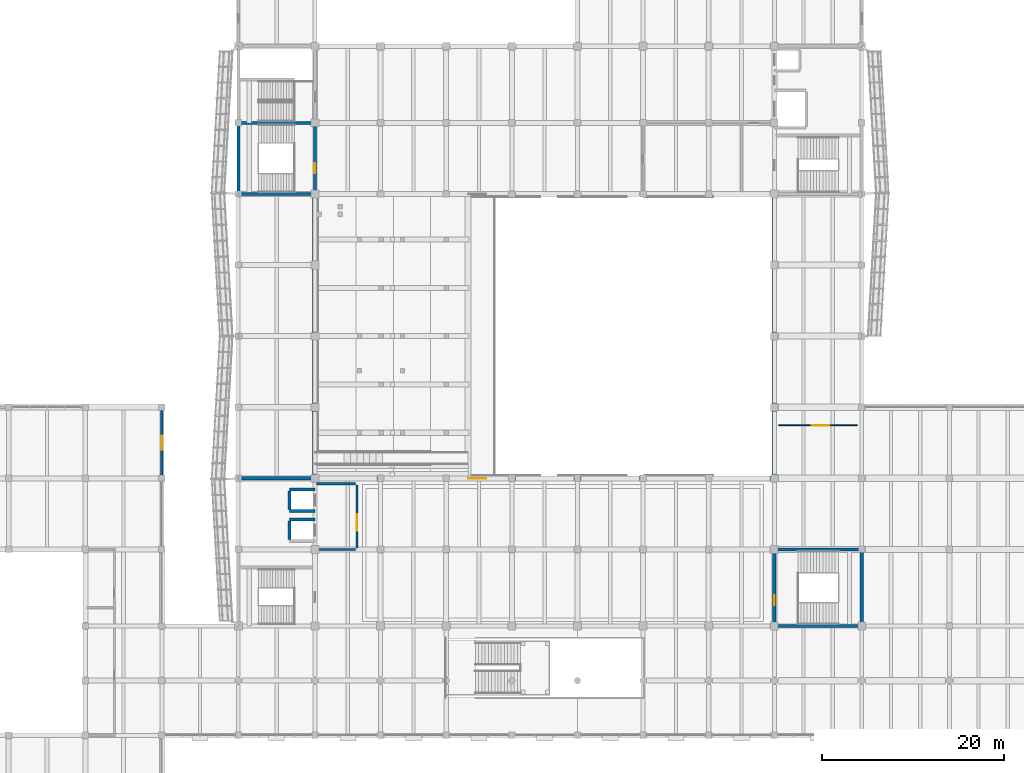
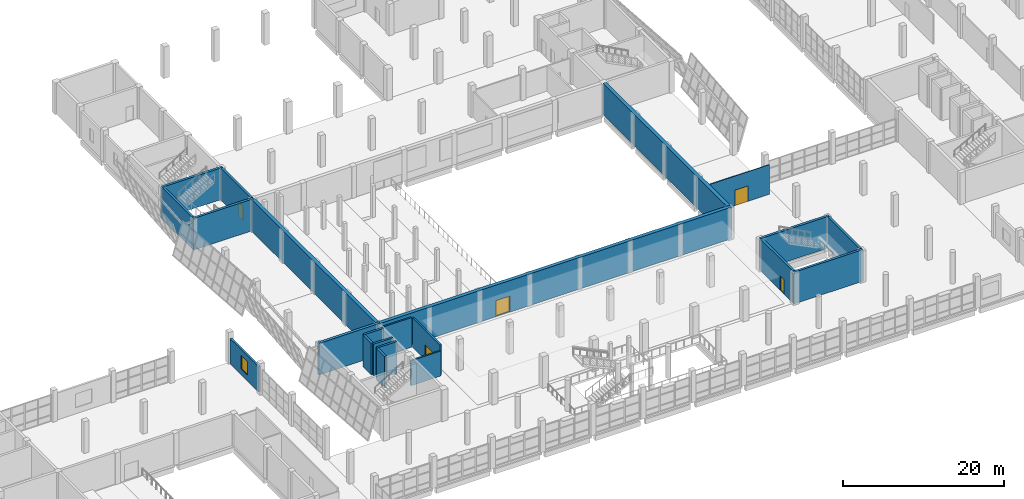
# One storey, part 81 of 91: 22 walls, 5 doors, 1 window, 6 openings.
"""IFC4 building model written with IfcOpenShell, lengths in metres."""

from ifc_helpers import new_model, si_unit, direction, frame, frame_2d, origin, place, context, subcontext, project, spatial, rectangle, extrude, material, layer, layer_set, type_object, element, fill, save


model = new_model("IFC4")

# Units and contexts
model_context = context("Model", 3, precision=1e-05, world=origin(), true_north=direction((0.0, 1.0)))
body_context = subcontext(model_context, "Body", "Model", "MODEL_VIEW")
ifc_project = project(units=[si_unit("LENGTHUNIT", "METRE"), si_unit("AREAUNIT", "SQUARE_METRE"), si_unit("VOLUMEUNIT", "CUBIC_METRE"), si_unit("PLANEANGLEUNIT", "RADIAN"), si_unit("MASSUNIT", "GRAM", prefix="KILO")], contexts=[model_context])

# Site, building, storey
site_placement = place(None, origin())
site = spatial("IfcSite", under=ifc_project, at=site_placement, CompositionType="ELEMENT")
building_placement = place(site_placement, origin())
building = spatial("IfcBuilding", under=site, at=building_placement, Name="Pellamere Symphony Hall", CompositionType="ELEMENT")
storey_placement = place(building_placement, frame((0.0, 0.0, 5.39990234375)))
storey = spatial("IfcBuildingStorey", under=building, at=storey_placement, Name="L01", CompositionType="ELEMENT", Elevation=5.39990234375)

# Wall, opening, window
ifc_material_1 = material(Name="Architectural Limestone-Clad Insulated Backing Assembly", Category="masonry")
ifc_layer_1 = layer(ifc_material_1, 0.280029296875, Name="Architectural Limestone-Clad Insulated Backing Assembly")
ifc_layer_set_1 = layer_set([ifc_layer_1], Name="Architectural Limestone-Clad Insulated Backing Assembly")
wall_type_1 = type_object("IfcWallType", Name="Exterior Wall EW-03 280mm", PredefinedType="SOLIDWALL", material=ifc_layer_set_1)
wall_1_placement = place(storey_placement, frame((42.0, 46.550048828125, 0.0), z_axis=(0.0, 0.0, 1.0), x_axis=(0.0, 1.0, 0.0)))
wall_1 = element("IfcWall", 1, at=wall_1_placement, inside=storey, type_object=wall_type_1, Name="Exterior Wall EW-03-015 (L01)", PredefinedType="SOLIDWALL", context=body_context, shape_type="SweptSolid", body=[
    extrude(rectangle(XDim=7.099853515625, YDim=0.280029296875, at=frame_2d((3.5498046875, 0.0))), origin(), (0.0, 0.0, 1.0), 3.85009765625),
])
opening_1_placement = place(wall_1_placement, frame((2.800048828125, 0.0, 0.89990234375)))
opening_1 = element("IfcOpeningElement", 2, at=opening_1_placement, cuts=wall_1, Name="Opening W013", PredefinedType="OPENING", context=body_context, shape_type="SweptSolid", body=[
    extrude(rectangle(XDim=1.5, YDim=2.10009765625, at=frame_2d((0.75, 1.050048828125))), frame((0.0, 0.14990234375, 0.0), z_axis=(0.0, -1.0, 0.0), x_axis=(1.0, 0.0, 0.0)), (0.0, 0.0, 1.0), 0.300048828125),
])
ifc_material_2 = material(Name="Thermally Broken Aluminium Triple-Glazed Acoustic Window", Category="aluminium")
window_type = type_object("IfcWindowType", Name="Window WN-01 1500x2100", PartitioningType="SINGLE_PANEL", PredefinedType="WINDOW", material=ifc_material_2)
window_placement = place(opening_1_placement, origin())
window = element("IfcWindow", 3, at=window_placement, inside=storey, type_object=window_type, Name="Exterior Window W013 (L01)", OverallHeight=2.10009765625, OverallWidth=1.5, PartitioningType="SINGLE_PANEL", PredefinedType="WINDOW", context=body_context, shape_type="SweptSolid", body=[
    extrude(rectangle(XDim=1.5, YDim=2.10009765625, at=frame_2d((0.75, 1.050048828125))), frame((0.0, 0.030029296875, 0.0), z_axis=(0.0, -1.0, 0.0), x_axis=(1.0, 0.0, 0.0)), (0.0, 0.0, 1.0), 0.06005859375),
])
fill(opening_1, window)

# Walls
ifc_material_3 = material(Name="Double-Stud STC-65 Acoustic Drywall Partition", Category="gypsum")
ifc_layer_2 = layer(ifc_material_3, 0.239990234375, Name="Double-Stud STC-65 Acoustic Drywall Partition")
ifc_layer_set_2 = layer_set([ifc_layer_2], Name="Double-Stud STC-65 Acoustic Drywall Partition")
wall_type_2 = type_object("IfcWallType", Name="Interior Partition IW-01 240mm", PredefinedType="PARTITIONING", material=ifc_layer_set_2)
wall_2_placement = place(storey_placement, frame((58.9599609375, 38.39990234375, 0.0), z_axis=(0.0, 0.0, 1.0), x_axis=(1.0, 0.0, 0.0)))
element("IfcWall", 4, at=wall_2_placement, inside=storey, type_object=wall_type_2, Name="Interior Partition IW-01-008 (L01)", PredefinedType="PARTITIONING", context=body_context, shape_type="SweptSolid", body=[
    extrude(rectangle(XDim=4.280029296875, YDim=0.239990234375, at=frame_2d((2.14013671875, 0.0))), origin(), (0.0, 0.0, 1.0), 3.780029296875),
])
wall_3_placement = place(storey_placement, frame((58.9599609375, 45.60009765625, 0.0), z_axis=(0.0, 0.0, 1.0), x_axis=(1.0, 0.0, 0.0)))
element("IfcWall", 5, at=wall_3_placement, inside=storey, type_object=wall_type_2, Name="Interior Partition IW-01-009 (L01)", PredefinedType="PARTITIONING", context=body_context, shape_type="SweptSolid", body=[
    extrude(rectangle(XDim=4.280029296875, YDim=0.239990234375, at=frame_2d((2.14013671875, 0.0))), origin(), (0.0, 0.0, 1.0), 4.489990234375),
])

# Wall, opening, door
wall_4_placement = place(storey_placement, frame((63.39990234375, 38.56005859375, 0.0), z_axis=(0.0, 0.0, 1.0), x_axis=(0.0, 1.0, 0.0)))
wall_4 = element("IfcWall", 6, at=wall_4_placement, inside=storey, type_object=wall_type_2, Name="Interior Partition IW-01-010 (L01)", PredefinedType="PARTITIONING", context=body_context, shape_type="SweptSolid", body=[
    extrude(rectangle(XDim=6.8798828125, YDim=0.239990234375, at=frame_2d((3.43994140625, 0.0))), origin(), (0.0, 0.0, 1.0), 4.489990234375),
])
opening_2_placement = place(wall_4_placement, frame((1.89990234375, 0.0, 0.0)))
opening_2 = element("IfcOpeningElement", 7, at=opening_2_placement, cuts=wall_4, Name="Opening FD-05", PredefinedType="OPENING", context=body_context, shape_type="SweptSolid", body=[
    extrude(rectangle(XDim=1.800048828125, YDim=2.300048828125, at=frame_2d((0.89990234375, 1.14990234375))), frame((0.0, 0.1298828125, 0.0), z_axis=(0.0, -1.0, 0.0), x_axis=(1.0, 0.0, 0.0)), (0.0, 0.0, 1.0), 0.260009765625),
])
ifc_material_4 = material(Name="Fire-Rated Cross-Corridor Double Door", Category="wood")
door_type_1 = type_object("IfcDoorType", Name="Interior Door ID-FD1 1800x2300", OperationType="NOTDEFINED", PredefinedType="DOOR", material=ifc_material_4)
door_1_placement = place(opening_2_placement, origin())
door_1 = element("IfcDoor", 8, at=door_1_placement, inside=storey, type_object=door_type_1, Name="Firefighting Lobby C1 Foyer Entry Door (L01)", OperationType="DOUBLE_DOOR_SINGLE_SWING", OverallHeight=2.300048828125, OverallWidth=1.800048828125, PredefinedType="DOOR", context=body_context, shape_type="SweptSolid", body=[
    extrude(rectangle(XDim=1.800048828125, YDim=2.300048828125, at=frame_2d((0.89990234375, 1.14990234375))), frame((0.0, 0.02490234375, 0.0), z_axis=(0.0, -1.0, 0.0), x_axis=(1.0, 0.0, 0.0)), (0.0, 0.0, 1.0), 0.050048828125),
])
fill(opening_2, door_1)

ifc_material_5 = material(Name="Operable Acoustic Timber Folding Wall", Category="wood")
ifc_layer_3 = layer(ifc_material_5, 0.110107421875, Name="Operable Acoustic Timber Folding Wall")
ifc_layer_set_3 = layer_set([ifc_layer_3], Name="Operable Acoustic Timber Folding Wall")
wall_type_3 = type_object("IfcWallType", Name="Interior Partition IW-05 110mm", PredefinedType="MOVABLE", material=ifc_layer_set_3)
wall_5_placement = place(storey_placement, frame((109.7099609375, 52.0, 0.0), z_axis=(0.0, 0.0, 1.0), x_axis=(1.0, 0.0, 0.0)))
wall_5 = element("IfcWall", 9, at=wall_5_placement, inside=storey, type_object=wall_type_3, Name="Interior Partition IW-05-072 (L01)", PredefinedType="MOVABLE", context=body_context, shape_type="SweptSolid", body=[
    extrude(rectangle(XDim=8.580078125, YDim=0.110107421875, at=frame_2d((4.2900390625, 0.0))), origin(), (0.0, 0.0, 1.0), 4.489990234375),
])
opening_3_placement = place(wall_5_placement, frame((3.60009765625, 0.0, 0.0)))
opening_3 = element("IfcOpeningElement", 10, at=opening_3_placement, cuts=wall_5, Name="Opening ID-GL1-034", PredefinedType="OPENING", context=body_context, shape_type="SweptSolid", body=[
    extrude(rectangle(XDim=1.89990234375, YDim=2.35009765625, at=frame_2d((0.949951171875, 1.175048828125))), frame((0.0, 0.06494140625, 0.0), z_axis=(0.0, -1.0, 0.0), x_axis=(1.0, 0.0, 0.0)), (0.0, 0.0, 1.0), 0.130126953125),
])
ifc_material_6 = material(Name="Laminated Acoustic Glass Lounge Sliding Door", Category="glass")
door_type_2 = type_object("IfcDoorType", Name="Interior Door ID-GL1 1900x2350", OperationType="NOTDEFINED", PredefinedType="DOOR", material=ifc_material_6)
door_2_placement = place(opening_3_placement, origin())
door_2 = element("IfcDoor", 11, at=door_2_placement, inside=storey, type_object=door_type_2, Name="Founders Recital Salon Glass Portal", OperationType="SLIDING_TO_RIGHT", OverallHeight=2.35009765625, OverallWidth=1.89990234375, PredefinedType="DOOR", context=body_context, shape_type="SweptSolid", body=[
    extrude(rectangle(XDim=1.89990234375, YDim=2.35009765625, at=frame_2d((0.949951171875, 1.175048828125))), frame((0.0, 0.02490234375, 0.0), z_axis=(0.0, -1.0, 0.0), x_axis=(1.0, 0.0, 0.0)), (0.0, 0.0, 1.0), 0.050048828125),
])
fill(opening_3, door_2)

# Walls
ifc_material_7 = material(Name="Concrete 50 MPa", Category="concrete")
ifc_layer_4 = layer(ifc_material_7, 0.39990234375, Name="Concrete 50 MPa")
ifc_layer_set_4 = layer_set([ifc_layer_4], Name="Concrete 50 MPa")
wall_type_4 = type_object("IfcWallType", Name="Structural Wall SW-02 400mm", PredefinedType="SHEAR", material=ifc_layer_set_4)
wall_6_placement = place(storey_placement, frame((50.199951171875, 46.199951171875, 0.0), z_axis=(0.0, 0.0, 1.0), x_axis=(1.0, 0.0, 0.0)))
element("IfcWall", 12, at=wall_6_placement, inside=storey, type_object=wall_type_4, Name="Core Shear Wall C1 N (L01)", PredefinedType="SHEAR", context=body_context, shape_type="SweptSolid", body=[
    extrude(rectangle(XDim=8.800048828125, YDim=0.39990234375, at=frame_2d((4.39990234375, 0.0))), origin(), (0.0, 0.0, 1.0), 4.800048828125),
])
ifc_material_8 = material(Name="Concrete 40 MPa", Category="concrete")
ifc_layer_5 = layer(ifc_material_8, 0.35009765625, Name="Concrete 40 MPa")
ifc_layer_set_5 = layer_set([ifc_layer_5], Name="Concrete 40 MPa")
wall_type_5 = type_object("IfcWallType", Name="Structural Wall SW-03 350mm", PredefinedType="SHEAR", material=ifc_layer_set_5)
for number, where, z_axis, x_axis, name in (
    (13, (50.22509765625, 77.39990234375, 0.0), (0.0, 0.0, 1.0), (1.0, 0.0, 0.0), "Stair ST07 Enclosure Wall S (L01)"),
    (14, (50.22509765625, 85.199951171875, 0.0), (0.0, 0.0, 1.0), (1.0, 0.0, 0.0), "Stair ST07 Enclosure Wall N (L01)"),
):
    element("IfcWall", number, at=place(storey_placement, frame(where, z_axis=z_axis, x_axis=x_axis)), inside=storey, type_object=wall_type_5, Name=name, PredefinedType="SHEAR", context=body_context, shape_type="SweptSolid", body=[
        extrude(rectangle(XDim=8.75, YDim=0.35009765625, at=frame_2d((4.375, 0.0))), origin(), (0.0, 0.0, 1.0), 4.800048828125),
    ])
wall_7_placement = place(storey_placement, frame((50.39990234375, 77.574951171875, 0.0), z_axis=(0.0, 0.0, 1.0), x_axis=(0.0, 1.0, 0.0)))
element("IfcWall", 15, at=wall_7_placement, inside=storey, type_object=wall_type_5, Name="Stair ST07 Enclosure Wall W (L01)", PredefinedType="SHEAR", context=body_context, shape_type="SweptSolid", body=[
    extrude(rectangle(XDim=7.449951171875, YDim=0.35009765625, at=frame_2d((3.72509765625, 0.0))), origin(), (0.0, 0.0, 1.0), 4.800048828125),
])

# Wall, opening, door
wall_8_placement = place(storey_placement, frame((58.800048828125, 77.574951171875, 0.0), z_axis=(0.0, 0.0, 1.0), x_axis=(0.0, 1.0, 0.0)))
wall_8 = element("IfcWall", 16, at=wall_8_placement, inside=storey, type_object=wall_type_5, Name="Stair ST07 Enclosure Wall E (L01)", PredefinedType="SHEAR", context=body_context, shape_type="SweptSolid", body=[
    extrude(rectangle(XDim=7.449951171875, YDim=0.35009765625, at=frame_2d((3.72509765625, 0.0))), origin(), (0.0, 0.0, 1.0), 4.800048828125),
])
opening_4_placement = place(wall_8_placement, frame((2.10009765625, 0.0, 0.0)))
opening_4 = element("IfcOpeningElement", 17, at=opening_4_placement, cuts=wall_8, Name="Opening SD-39", PredefinedType="OPENING", context=body_context, shape_type="SweptSolid", body=[
    extrude(rectangle(XDim=1.10009765625, YDim=2.199951171875, at=frame_2d((0.550048828125, 1.10009765625))), frame((0.0, 0.18505859375, 0.0), z_axis=(0.0, -1.0, 0.0), x_axis=(1.0, 0.0, 0.0)), (0.0, 0.0, 1.0), 0.3701171875),
])
ifc_material_9 = material(Name="Fire-Rated Steel Exit Stair Door", Category="steel")
door_type_3 = type_object("IfcDoorType", Name="Interior Door ID-SD1 1100x2200", OperationType="NOTDEFINED", PredefinedType="DOOR", material=ifc_material_9)
door_3_placement = place(opening_4_placement, origin())
door_3 = element("IfcDoor", 18, at=door_3_placement, inside=storey, type_object=door_type_3, Name="Exit Stair ST07 Door (L01)", OperationType="SINGLE_SWING_LEFT", OverallHeight=2.199951171875, OverallWidth=1.10009765625, PredefinedType="DOOR", context=body_context, shape_type="SweptSolid", body=[
    extrude(rectangle(XDim=1.10009765625, YDim=2.199951171875, at=frame_2d((0.550048828125, 1.10009765625))), frame((0.0, 0.02490234375, 0.0), z_axis=(0.0, -1.0, 0.0), x_axis=(1.0, 0.0, 0.0)), (0.0, 0.0, 1.0), 0.050048828125),
])
fill(opening_4, door_3)

# Walls
for number, where, z_axis, x_axis, name in (
    (19, (109.02490234375, 30.0, 0.0), (0.0, 0.0, 1.0), (1.0, 0.0, 0.0), "Stair ST08 Enclosure Wall S (L01)"),
    (20, (109.02490234375, 38.39990234375, 0.0), (0.0, 0.0, 1.0), (1.0, 0.0, 0.0), "Stair ST08 Enclosure Wall N (L01)"),
):
    element("IfcWall", number, at=place(storey_placement, frame(where, z_axis=z_axis, x_axis=x_axis)), inside=storey, type_object=wall_type_5, Name=name, PredefinedType="SHEAR", context=body_context, shape_type="SweptSolid", body=[
        extrude(rectangle(XDim=9.9501953125, YDim=0.35009765625, at=frame_2d((4.97509765625, 0.0))), origin(), (0.0, 0.0, 1.0), 4.800048828125),
    ])

# Wall, opening, door
wall_9_placement = place(storey_placement, frame((109.199951171875, 30.175048828125, 0.0), z_axis=(0.0, 0.0, 1.0), x_axis=(0.0, 1.0, 0.0)))
wall_9 = element("IfcWall", 21, at=wall_9_placement, inside=storey, type_object=wall_type_5, Name="Stair ST08 Enclosure Wall W (L01)", PredefinedType="SHEAR", context=body_context, shape_type="SweptSolid", body=[
    extrude(rectangle(XDim=8.050048828125, YDim=0.35009765625, at=frame_2d((4.02490234375, 0.0))), origin(), (0.0, 0.0, 1.0), 4.800048828125),
])
opening_5_placement = place(wall_9_placement, frame((2.10009765625, 0.0, 0.0)))
opening_5 = element("IfcOpeningElement", 22, at=opening_5_placement, cuts=wall_9, Name="Opening SD-45", PredefinedType="OPENING", context=body_context, shape_type="SweptSolid", body=[
    extrude(rectangle(XDim=1.10009765625, YDim=2.199951171875, at=frame_2d((0.550048828125, 1.10009765625))), frame((0.0, 0.18505859375, 0.0), z_axis=(0.0, -1.0, 0.0), x_axis=(1.0, 0.0, 0.0)), (0.0, 0.0, 1.0), 0.3701171875),
])
door_4_placement = place(opening_5_placement, frame((1.10009765625, 0.0, 0.0), z_axis=(0.0, 0.0, 1.0), x_axis=(-1.0, 0.0, 0.0)))
door_4 = element("IfcDoor", 23, at=door_4_placement, inside=storey, type_object=door_type_3, Name="Exit Stair ST08 Door (L01)", OperationType="SINGLE_SWING_LEFT", OverallHeight=2.199951171875, OverallWidth=1.10009765625, PredefinedType="DOOR", context=body_context, shape_type="SweptSolid", body=[
    extrude(rectangle(XDim=1.10009765625, YDim=2.199951171875, at=frame_2d((0.550048828125, 1.10009765625))), frame((0.0, 0.02490234375, 0.0), z_axis=(0.0, -1.0, 0.0), x_axis=(1.0, 0.0, 0.0)), (0.0, 0.0, 1.0), 0.050048828125),
])
fill(opening_5, door_4)

# Walls
wall_10_placement = place(storey_placement, frame((118.800048828125, 30.175048828125, 0.0), z_axis=(0.0, 0.0, 1.0), x_axis=(0.0, 1.0, 0.0)))
element("IfcWall", 24, at=wall_10_placement, inside=storey, type_object=wall_type_5, Name="Stair ST08 Enclosure Wall E (L01)", PredefinedType="SHEAR", context=body_context, shape_type="SweptSolid", body=[
    extrude(rectangle(XDim=8.050048828125, YDim=0.35009765625, at=frame_2d((4.02490234375, 0.0))), origin(), (0.0, 0.0, 1.0), 4.800048828125),
])
ifc_layer_6 = layer(ifc_material_8, 0.300048828125, Name="Concrete 40 MPa")
ifc_layer_set_6 = layer_set([ifc_layer_6], Name="Concrete 40 MPa")
wall_type_6 = type_object("IfcWallType", Name="Structural Wall SW-04 300mm", PredefinedType="SHEAR", material=ifc_layer_set_6)
wall_11_placement = place(storey_placement, frame((56.0, 41.675048828125, 0.0), z_axis=(0.0, 0.0, 1.0), x_axis=(1.0, 0.0, 0.0)))
element("IfcWall", 25, at=wall_11_placement, inside=storey, type_object=wall_type_6, Name="Elevator PL1 Hoistway Wall N (L01)", PredefinedType="SHEAR", context=body_context, shape_type="SweptSolid", body=[
    extrude(rectangle(XDim=2.800048828125, YDim=0.300048828125, at=frame_2d((1.39990234375, 0.0))), origin(), (0.0, 0.0, 1.0), 4.800048828125),
])
wall_12_placement = place(storey_placement, frame((56.0, 39.47509765625, 0.0), z_axis=(0.0, 0.0, 1.0), x_axis=(0.0, 1.0, 0.0)))
element("IfcWall", 26, at=wall_12_placement, inside=storey, type_object=wall_type_6, Name="Elevator PL1 Hoistway Wall W (L01)", PredefinedType="SHEAR", context=body_context, shape_type="SweptSolid", body=[
    extrude(rectangle(XDim=2.0498046875, YDim=0.300048828125, at=frame_2d((1.02490234375, 0.0))), origin(), (0.0, 0.0, 1.0), 4.800048828125),
])
for number, where, z_axis, x_axis, name in (
    (27, (56.0, 42.625, 0.0), (0.0, 0.0, 1.0), (1.0, 0.0, 0.0), "Elevator PL2 Hoistway Wall S (L01)"),
    (28, (56.0, 44.97509765625, 0.0), (0.0, 0.0, 1.0), (1.0, 0.0, 0.0), "Elevator PL2 Hoistway Wall N (L01)"),
):
    element("IfcWall", number, at=place(storey_placement, frame(where, z_axis=z_axis, x_axis=x_axis)), inside=storey, type_object=wall_type_6, Name=name, PredefinedType="SHEAR", context=body_context, shape_type="SweptSolid", body=[
        extrude(rectangle(XDim=2.800048828125, YDim=0.300048828125, at=frame_2d((1.39990234375, 0.0))), origin(), (0.0, 0.0, 1.0), 4.800048828125),
    ])
wall_13_placement = place(storey_placement, frame((56.0, 42.77490234375, 0.0), z_axis=(0.0, 0.0, 1.0), x_axis=(0.0, 1.0, 0.0)))
element("IfcWall", 29, at=wall_13_placement, inside=storey, type_object=wall_type_6, Name="Elevator PL2 Hoistway Wall W (L01)", PredefinedType="SHEAR", context=body_context, shape_type="SweptSolid", body=[
    extrude(rectangle(XDim=2.050048828125, YDim=0.300048828125, at=frame_2d((1.02490234375, 0.0))), origin(), (0.0, 0.0, 1.0), 4.800048828125),
])

# Wall, opening, door
ifc_material_10 = material(Name="Architectural warm-pigmented concrete 40 MPa", Category="concrete")
ifc_layer_7 = layer(ifc_material_10, 0.5, Name="Architectural warm-pigmented concrete 40 MPa")
ifc_layer_set_7 = layer_set([ifc_layer_7], Name="Architectural warm-pigmented concrete 40 MPa")
wall_type_7 = type_object("IfcWallType", Name="Structural Wall SW-05 500mm", PredefinedType="SOLIDWALL", material=ifc_layer_set_7)
wall_14_placement = place(storey_placement, frame((58.590087890625, 46.199951171875, 0.0), z_axis=(0.0, 0.0, 1.0), x_axis=(1.0, 0.0, 0.0)))
wall_14 = element("IfcWall", 30, at=wall_14_placement, inside=storey, type_object=wall_type_7, Name="Main Hall Acoustic Box Wall AW1-S (L01)", PredefinedType="SOLIDWALL", context=body_context, shape_type="SweptSolid", body=[
    extrude(rectangle(XDim=50.81982421875, YDim=0.5, at=frame_2d((25.409912109375, 0.0))), origin(), (0.0, 0.0, 1.0), 4.800048828125),
])
opening_6_placement = place(wall_14_placement, frame((17.0, 0.0, 0.0)))
opening_6 = element("IfcOpeningElement", 31, at=opening_6_placement, cuts=wall_14, Name="Opening AD-05", PredefinedType="OPENING", context=body_context, shape_type="SweptSolid", body=[
    extrude(rectangle(XDim=2.0, YDim=2.449951171875, at=frame_2d((1.0, 1.22509765625))), frame((0.0, 0.260009765625, 0.0), z_axis=(0.0, -1.0, 0.0), x_axis=(1.0, 0.0, 0.0)), (0.0, 0.0, 1.0), 0.52001953125),
])
ifc_material_11 = material(Name="STC-55 Solid White Oak Acoustic Hall Entry Door", Category="wood")
door_type_4 = type_object("IfcDoorType", Name="Interior Door ID-AD1 2000x2450", OperationType="NOTDEFINED", PredefinedType="DOOR", material=ifc_material_11)
door_5_placement = place(opening_6_placement, origin())
door_5 = element("IfcDoor", 32, at=door_5_placement, inside=storey, type_object=door_type_4, Name="Main Hall L01 Balcony Acoustic Entry Door S", OperationType="DOUBLE_DOOR_SINGLE_SWING", OverallHeight=2.449951171875, OverallWidth=2.0, PredefinedType="DOOR", context=body_context, shape_type="SweptSolid", body=[
    extrude(rectangle(XDim=2.0, YDim=2.449951171875, at=frame_2d((1.0, 1.22509765625))), frame((0.0, 0.02490234375, 0.0), z_axis=(0.0, -1.0, 0.0), x_axis=(1.0, 0.0, 0.0)), (0.0, 0.0, 1.0), 0.050048828125),
])
fill(opening_6, door_5)

# Walls
for number, where, z_axis, x_axis, name in (
    (33, (58.800048828125, 46.409912109375, 0.0), (0.0, 0.0, 1.0), (0.0, 1.0, 0.0), "Main Hall Acoustic Box Wall AW1-W (L01)"),
    (34, (109.199951171875, 46.409912109375, 0.0), (0.0, 0.0, 1.0), (0.0, 1.0, 0.0), "Main Hall Acoustic Box Wall AW1-E (L01)"),
):
    element("IfcWall", number, at=place(storey_placement, frame(where, z_axis=z_axis, x_axis=x_axis)), inside=storey, type_object=wall_type_7, Name=name, PredefinedType="SOLIDWALL", context=body_context, shape_type="SweptSolid", body=[
        extrude(rectangle(XDim=30.780029296875, YDim=0.5, at=frame_2d((15.39013671875, 0.0))), origin(), (0.0, 0.0, 1.0), 4.800048828125),
    ])

save(model, "model.ifc")
